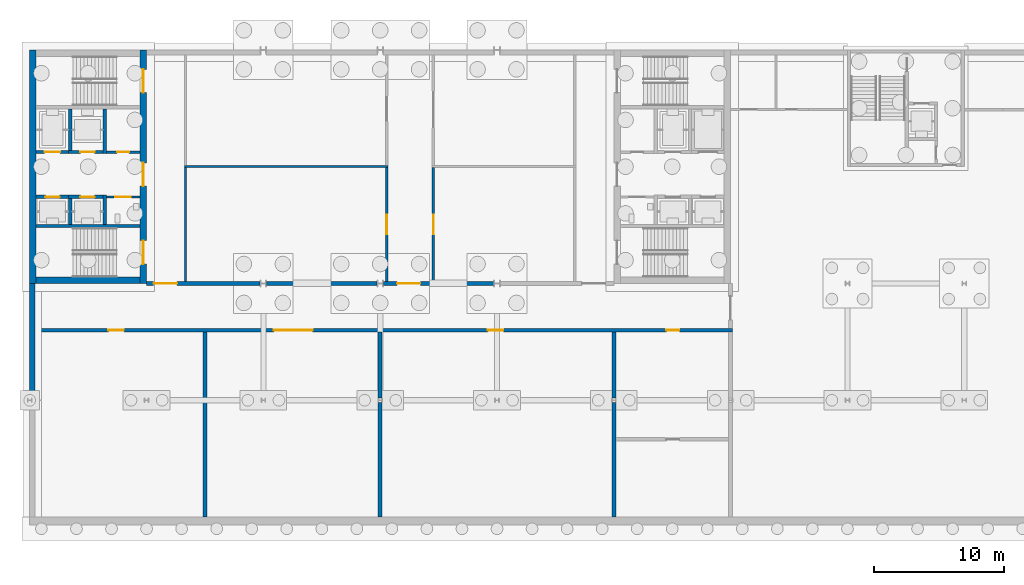
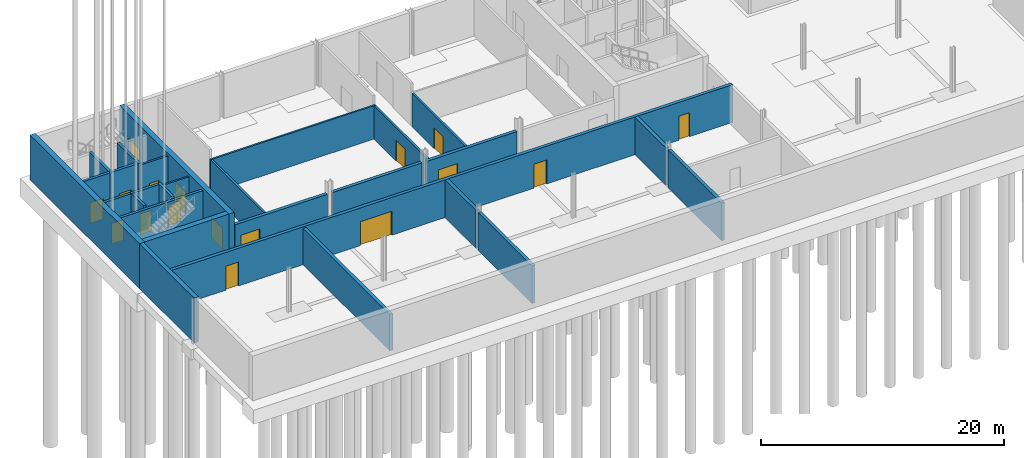
# One storey, part 12 of 41: 28 walls, 17 doors, 17 openings.
"""IFC4 building model written with IfcOpenShell, lengths in metres."""

from ifc_helpers import new_model, si_unit, direction, frame, frame_2d, origin, place, context, subcontext, project, spatial, rectangle, extrude, material, layer, layer_set, type_object, element, fill, save


model = new_model("IFC4")

# Units and contexts
model_context = context("Model", 3, precision=1e-05, world=origin(), true_north=direction((0.0, 1.0)))
body_context = subcontext(model_context, "Body", "Model", "MODEL_VIEW")
ifc_project = project(units=[si_unit("LENGTHUNIT", "METRE"), si_unit("AREAUNIT", "SQUARE_METRE"), si_unit("VOLUMEUNIT", "CUBIC_METRE"), si_unit("PLANEANGLEUNIT", "RADIAN"), si_unit("MASSUNIT", "GRAM", prefix="KILO")], contexts=[model_context])

# Site, building, storey
site_placement = place(None, origin())
site = spatial("IfcSite", under=ifc_project, at=site_placement, CompositionType="ELEMENT")
building_placement = place(site_placement, origin())
building = spatial("IfcBuilding", under=site, at=building_placement, Name="Corbel Yard City Hall", CompositionType="ELEMENT")
storey_placement = place(building_placement, frame((0.0, 0.0, -4.5)))
storey = spatial("IfcBuildingStorey", under=building, at=storey_placement, Name="B1", CompositionType="ELEMENT", Elevation=-4.5)

# Walls
ifc_material_1 = material(Name="Concrete N40 (40 MPa)", Category="concrete")
ifc_layer_1 = layer(ifc_material_1, 0.25)
ifc_layer_set_1 = layer_set([ifc_layer_1], Name="Concrete N40 (40 MPa)")
wall_type_1 = type_object("IfcWallType", Name="IW2", PredefinedType="SOLIDWALL", material=ifc_layer_set_1)
wall_1_placement = place(storey_placement, frame((8.5, 103.425048828125, 0.0), z_axis=(0.0, 0.0, 1.0), x_axis=(-1.0, 0.0, 0.0)))
element("IfcWall", 1, at=wall_1_placement, inside=storey, type_object=wall_type_1, Name="Stair enclosure wall", PredefinedType="SOLIDWALL", context=body_context, shape_type="SweptSolid", body=[
    extrude(rectangle(XDim=8.0, YDim=0.25, at=frame_2d((4.0, 0.0))), origin(), (0.0, 0.0, 1.0), 4.25),
])
wall_2_placement = place(storey_placement, frame((5.77490234375, 103.550048828125, 0.0), z_axis=(0.0, 0.0, 1.0), x_axis=(0.0, 1.0, 0.0)))
element("IfcWall", 2, at=wall_2_placement, inside=storey, type_object=wall_type_1, Name="Lift LP22 shaft wall", PredefinedType="SOLIDWALL", context=body_context, shape_type="SweptSolid", body=[
    extrude(rectangle(XDim=2.25, YDim=0.25, at=frame_2d((1.125, 0.0))), origin(), (0.0, 0.0, 1.0), 4.5),
])
wall_3_placement = place(storey_placement, frame((3.125, 103.550048828125, 0.0), z_axis=(0.0, 0.0, 1.0), x_axis=(0.0, 1.0, 0.0)))
element("IfcWall", 3, at=wall_3_placement, inside=storey, type_object=wall_type_1, Name="Lift LP22 shaft wall", PredefinedType="SOLIDWALL", context=body_context, shape_type="SweptSolid", body=[
    extrude(rectangle(XDim=2.0, YDim=0.25, at=frame_2d((1.0, 0.0))), origin(), (0.0, 0.0, 1.0), 4.5),
])

# Wall, opening, door
wall_4_placement = place(storey_placement, frame((5.64990234375, 105.675048828125, 0.0), z_axis=(0.0, 0.0, 1.0), x_axis=(-1.0, 0.0, 0.0)))
wall_4 = element("IfcWall", 4, at=wall_4_placement, inside=storey, type_object=wall_type_1, Name="Lift LP22 shaft wall", PredefinedType="SOLIDWALL", context=body_context, shape_type="SweptSolid", body=[
    extrude(rectangle(XDim=2.64990234375, YDim=0.25, at=frame_2d((1.324951171875, 0.0))), origin(), (0.0, 0.0, 1.0), 4.5),
])
opening_1_placement = place(wall_4_placement, frame((0.64990234375, 0.0, 0.0)))
opening_1 = element("IfcOpeningElement", 5, at=opening_1_placement, cuts=wall_4, Name="Opening B1-049", PredefinedType="OPENING", context=body_context, shape_type="SweptSolid", body=[
    extrude(rectangle(XDim=1.10009765625, YDim=2.10009765625, at=frame_2d((0.550048828125, 1.050048828125))), frame((0.0, 0.135009765625, 0.0), z_axis=(0.0, -1.0, 0.0), x_axis=(1.0, 0.0, 0.0)), (0.0, 0.0, 1.0), 0.27001953125),
])
ifc_material_2 = material(Name="Stainless steel Grade 316", Category="steel")
door_type_1 = type_object("IfcDoorType", Name="LD1", OperationType="DOUBLE_DOOR_SLIDING", PredefinedType="DOOR", material=ifc_material_2)
door_1_placement = place(opening_1_placement, origin())
door_1 = element("IfcDoor", 6, at=door_1_placement, inside=storey, type_object=door_type_1, Name="Lift LP22 landing door", OperationType="DOUBLE_DOOR_SLIDING", OverallHeight=2.10009765625, OverallWidth=1.10009765625, PredefinedType="DOOR", context=body_context, shape_type="SweptSolid", body=[
    extrude(rectangle(XDim=1.10009765625, YDim=2.10009765625, at=frame_2d((0.550048828125, 1.050048828125))), frame((0.0, 0.02490234375, 0.0), z_axis=(0.0, -1.0, 0.0), x_axis=(1.0, 0.0, 0.0)), (0.0, 0.0, 1.0), 0.050048828125),
])
fill(opening_1, door_1)

wall_5_placement = place(storey_placement, frame((3.0, 105.675048828125, 0.0), z_axis=(0.0, 0.0, 1.0), x_axis=(-1.0, 0.0, 0.0)))
wall_5 = element("IfcWall", 7, at=wall_5_placement, inside=storey, type_object=wall_type_1, Name="Lift LP23 shaft wall", PredefinedType="SOLIDWALL", context=body_context, shape_type="SweptSolid", body=[
    extrude(rectangle(XDim=2.5, YDim=0.25, at=frame_2d((1.25, 0.0))), origin(), (0.0, 0.0, 1.0), 4.5),
])
opening_2_placement = place(wall_5_placement, frame((0.699951171875, 0.0, 0.0)))
opening_2 = element("IfcOpeningElement", 8, at=opening_2_placement, cuts=wall_5, Name="Opening B1-050", PredefinedType="OPENING", context=body_context, shape_type="SweptSolid", body=[
    extrude(rectangle(XDim=1.10009765625, YDim=2.10009765625, at=frame_2d((0.550048828125, 1.050048828125))), frame((0.0, 0.135009765625, 0.0), z_axis=(0.0, -1.0, 0.0), x_axis=(1.0, 0.0, 0.0)), (0.0, 0.0, 1.0), 0.27001953125),
])
door_2_placement = place(opening_2_placement, origin())
door_2 = element("IfcDoor", 9, at=door_2_placement, inside=storey, type_object=door_type_1, Name="Lift LP23 landing door", OperationType="DOUBLE_DOOR_SLIDING", OverallHeight=2.10009765625, OverallWidth=1.10009765625, PredefinedType="DOOR", context=body_context, shape_type="SweptSolid", body=[
    extrude(rectangle(XDim=1.10009765625, YDim=2.10009765625, at=frame_2d((0.550048828125, 1.050048828125))), frame((0.0, 0.02490234375, 0.0), z_axis=(0.0, -1.0, 0.0), x_axis=(1.0, 0.0, 0.0)), (0.0, 0.0, 1.0), 0.050048828125),
])
fill(opening_2, door_2)

# Walls
wall_6_placement = place(storey_placement, frame((5.77490234375, 109.0, 0.0), z_axis=(0.0, 0.0, 1.0), x_axis=(0.0, 1.0, 0.0)))
element("IfcWall", 10, at=wall_6_placement, inside=storey, type_object=wall_type_1, Name="Lift LP24 shaft wall", PredefinedType="SOLIDWALL", context=body_context, shape_type="SweptSolid", body=[
    extrude(rectangle(XDim=3.449951171875, YDim=0.25, at=frame_2d((1.72509765625, 0.0))), origin(), (0.0, 0.0, 1.0), 4.5),
])
wall_7_placement = place(storey_placement, frame((3.125, 109.25, 0.0), z_axis=(0.0, 0.0, 1.0), x_axis=(0.0, 1.0, 0.0)))
element("IfcWall", 11, at=wall_7_placement, inside=storey, type_object=wall_type_1, Name="Lift LP24 shaft wall", PredefinedType="SOLIDWALL", context=body_context, shape_type="SweptSolid", body=[
    extrude(rectangle(XDim=3.199951171875, YDim=0.25, at=frame_2d((1.60009765625, 0.0))), origin(), (0.0, 0.0, 1.0), 4.5),
])

# Wall, opening, door
wall_8_placement = place(storey_placement, frame((5.64990234375, 109.125, 0.0), z_axis=(0.0, 0.0, 1.0), x_axis=(-1.0, 0.0, 0.0)))
wall_8 = element("IfcWall", 12, at=wall_8_placement, inside=storey, type_object=wall_type_1, Name="Lift LP24 shaft wall", PredefinedType="SOLIDWALL", context=body_context, shape_type="SweptSolid", body=[
    extrude(rectangle(XDim=2.64990234375, YDim=0.25, at=frame_2d((1.324951171875, 0.0))), origin(), (0.0, 0.0, 1.0), 4.5),
])
opening_3_placement = place(wall_8_placement, frame((0.64990234375, 0.0, 0.0)))
opening_3 = element("IfcOpeningElement", 13, at=opening_3_placement, cuts=wall_8, Name="Opening B1-051", PredefinedType="OPENING", context=body_context, shape_type="SweptSolid", body=[
    extrude(rectangle(XDim=1.10009765625, YDim=2.10009765625, at=frame_2d((0.550048828125, 1.050048828125))), frame((0.0, 0.135009765625, 0.0), z_axis=(0.0, -1.0, 0.0), x_axis=(1.0, 0.0, 0.0)), (0.0, 0.0, 1.0), 0.27001953125),
])
door_3_placement = place(opening_3_placement, origin())
door_3 = element("IfcDoor", 14, at=door_3_placement, inside=storey, type_object=door_type_1, Name="Lift LP24 landing door", OperationType="DOUBLE_DOOR_SLIDING", OverallHeight=2.10009765625, OverallWidth=1.10009765625, PredefinedType="DOOR", context=body_context, shape_type="SweptSolid", body=[
    extrude(rectangle(XDim=1.10009765625, YDim=2.10009765625, at=frame_2d((0.550048828125, 1.050048828125))), frame((0.0, 0.02490234375, 0.0), z_axis=(0.0, -1.0, 0.0), x_axis=(1.0, 0.0, 0.0)), (0.0, 0.0, 1.0), 0.050048828125),
])
fill(opening_3, door_3)

wall_9_placement = place(storey_placement, frame((3.0, 109.125, 0.0), z_axis=(0.0, 0.0, 1.0), x_axis=(-1.0, 0.0, 0.0)))
wall_9 = element("IfcWall", 15, at=wall_9_placement, inside=storey, type_object=wall_type_1, Name="Lift LF1 shaft wall", PredefinedType="SOLIDWALL", context=body_context, shape_type="SweptSolid", body=[
    extrude(rectangle(XDim=2.5, YDim=0.25, at=frame_2d((1.25, 0.0))), origin(), (0.0, 0.0, 1.0), 4.5),
])
opening_4_placement = place(wall_9_placement, frame((0.64990234375, 0.0, 0.0)))
opening_4 = element("IfcOpeningElement", 16, at=opening_4_placement, cuts=wall_9, Name="Opening B1-052", PredefinedType="OPENING", context=body_context, shape_type="SweptSolid", body=[
    extrude(rectangle(XDim=1.199951171875, YDim=2.10009765625, at=frame_2d((0.60009765625, 1.050048828125))), frame((0.0, 0.135009765625, 0.0), z_axis=(0.0, -1.0, 0.0), x_axis=(1.0, 0.0, 0.0)), (0.0, 0.0, 1.0), 0.27001953125),
])
door_type_2 = type_object("IfcDoorType", Name="LD2", OperationType="DOUBLE_DOOR_SLIDING", PredefinedType="DOOR", material=ifc_material_2)
door_4_placement = place(opening_4_placement, origin())
door_4 = element("IfcDoor", 17, at=door_4_placement, inside=storey, type_object=door_type_2, Name="Lift LF1 landing door", OperationType="DOUBLE_DOOR_SLIDING", OverallHeight=2.10009765625, OverallWidth=1.199951171875, PredefinedType="DOOR", context=body_context, shape_type="SweptSolid", body=[
    extrude(rectangle(XDim=1.199951171875, YDim=2.10009765625, at=frame_2d((0.60009765625, 1.050048828125))), frame((0.0, 0.02490234375, 0.0), z_axis=(0.0, -1.0, 0.0), x_axis=(1.0, 0.0, 0.0)), (0.0, 0.0, 1.0), 0.050048828125),
])
fill(opening_4, door_4)

# Wall, openings, doors
ifc_material_3 = material(Name="Concrete block", Category="concrete")
ifc_layer_2 = layer(ifc_material_3, 0.300048828125)
ifc_layer_set_2 = layer_set([ifc_layer_2], Name="Concrete block")
wall_type_2 = type_object("IfcWallType", Name="PT24", PredefinedType="PARTITIONING", material=ifc_layer_set_2)
wall_10_placement = place(storey_placement, frame((0.39990234375, 95.39990234375, 0.0), z_axis=(0.0, 0.0, 1.0), x_axis=(1.0, 0.0, 0.0)))
wall_10 = element("IfcWall", 18, at=wall_10_placement, inside=storey, type_object=wall_type_2, Name="Rated plant wall", PredefinedType="PARTITIONING", context=body_context, shape_type="SweptSolid", body=[
    extrude(rectangle(XDim=53.75, YDim=0.300048828125, at=frame_2d((26.875, 0.0))), origin(), (0.0, 0.0, 1.0), 3.7900390625),
])
opening_5_placement = place(wall_10_placement, frame((5.64990234375, 0.0, 0.0)))
opening_5 = element("IfcOpeningElement", 19, at=opening_5_placement, cuts=wall_10, Name="Opening B1-025", PredefinedType="OPENING", context=body_context, shape_type="SweptSolid", body=[
    extrude(rectangle(XDim=1.199951171875, YDim=2.39990234375, at=frame_2d((0.60009765625, 1.199951171875))), frame((0.0, 0.159912109375, 0.0), z_axis=(0.0, -1.0, 0.0), x_axis=(1.0, 0.0, 0.0)), (0.0, 0.0, 1.0), 0.320068359375),
])
opening_6_placement = place(wall_10_placement, frame((18.39990234375, 0.0, 0.0)))
opening_6 = element("IfcOpeningElement", 20, at=opening_6_placement, cuts=wall_10, Name="Opening B1-026", PredefinedType="OPENING", context=body_context, shape_type="SweptSolid", body=[
    extrude(rectangle(XDim=3.0, YDim=2.39990234375, at=frame_2d((1.5, 1.199951171875))), frame((0.0, 0.159912109375, 0.0), z_axis=(0.0, -1.0, 0.0), x_axis=(1.0, 0.0, 0.0)), (0.0, 0.0, 1.0), 0.320068359375),
])
opening_7_placement = place(wall_10_placement, frame((34.89990234375, 0.0, 0.0)))
opening_7 = element("IfcOpeningElement", 21, at=opening_7_placement, cuts=wall_10, Name="Opening B1-027", PredefinedType="OPENING", context=body_context, shape_type="SweptSolid", body=[
    extrude(rectangle(XDim=1.199951171875, YDim=2.39990234375, at=frame_2d((0.60009765625, 1.199951171875))), frame((0.0, 0.159912109375, 0.0), z_axis=(0.0, -1.0, 0.0), x_axis=(1.0, 0.0, 0.0)), (0.0, 0.0, 1.0), 0.320068359375),
])
opening_8_placement = place(wall_10_placement, frame((48.64990234375, 0.0, 0.0)))
opening_8 = element("IfcOpeningElement", 22, at=opening_8_placement, cuts=wall_10, Name="Opening B1-028", PredefinedType="OPENING", context=body_context, shape_type="SweptSolid", body=[
    extrude(rectangle(XDim=1.0, YDim=2.39990234375, at=frame_2d((0.5, 1.199951171875))), frame((0.0, 0.159912109375, 0.0), z_axis=(0.0, -1.0, 0.0), x_axis=(1.0, 0.0, 0.0)), (0.0, 0.0, 1.0), 0.320068359375),
])
ifc_material_4 = material(Name="Steel Grade G250", Category="steel")
door_type_3 = type_object("IfcDoorType", Name="FS32", OperationType="SINGLE_SWING_LEFT", PredefinedType="DOOR", material=ifc_material_4)
door_5_placement = place(opening_5_placement, frame((1.199951171875, 0.0, 0.0), z_axis=(0.0, 0.0, 1.0), x_axis=(-1.0, 0.0, 0.0)))
door_5 = element("IfcDoor", 23, at=door_5_placement, inside=storey, type_object=door_type_3, Name="Door Switch Room", OperationType="SINGLE_SWING_RIGHT", OverallHeight=2.39990234375, OverallWidth=1.199951171875, PredefinedType="DOOR", context=body_context, shape_type="SweptSolid", body=[
    extrude(rectangle(XDim=1.199951171875, YDim=2.39990234375, at=frame_2d((0.60009765625, 1.199951171875))), frame((0.0, 0.02490234375, 0.0), z_axis=(0.0, -1.0, 0.0), x_axis=(1.0, 0.0, 0.0)), (0.0, 0.0, 1.0), 0.050048828125),
])
fill(opening_5, door_5)
door_6_placement = place(opening_7_placement, frame((1.199951171875, 0.0, 0.0), z_axis=(0.0, 0.0, 1.0), x_axis=(-1.0, 0.0, 0.0)))
door_6 = element("IfcDoor", 24, at=door_6_placement, inside=storey, type_object=door_type_3, Name="Door Plant Room 1", OperationType="SINGLE_SWING_RIGHT", OverallHeight=2.39990234375, OverallWidth=1.199951171875, PredefinedType="DOOR", context=body_context, shape_type="SweptSolid", body=[
    extrude(rectangle(XDim=1.199951171875, YDim=2.39990234375, at=frame_2d((0.60009765625, 1.199951171875))), frame((0.0, 0.02490234375, 0.0), z_axis=(0.0, -1.0, 0.0), x_axis=(1.0, 0.0, 0.0)), (0.0, 0.0, 1.0), 0.050048828125),
])
fill(opening_7, door_6)
door_type_4 = type_object("IfcDoorType", Name="FS33", OperationType="SINGLE_SWING_RIGHT", PredefinedType="DOOR", material=ifc_material_4)
door_7_placement = place(opening_8_placement, frame((1.0, 0.0, 0.0), z_axis=(0.0, 0.0, 1.0), x_axis=(-1.0, 0.0, 0.0)))
door_7 = element("IfcDoor", 25, at=door_7_placement, inside=storey, type_object=door_type_4, Name="Door Fire Pump Room", OperationType="SINGLE_SWING_LEFT", OverallHeight=2.39990234375, OverallWidth=1.0, PredefinedType="DOOR", context=body_context, shape_type="SweptSolid", body=[
    extrude(rectangle(XDim=1.0, YDim=2.39990234375, at=frame_2d((0.5, 1.199951171875))), frame((0.0, 0.02490234375, 0.0), z_axis=(0.0, -1.0, 0.0), x_axis=(1.0, 0.0, 0.0)), (0.0, 0.0, 1.0), 0.050048828125),
])
fill(opening_8, door_7)
door_type_5 = type_object("IfcDoorType", Name="FS37", OperationType="DOUBLE_DOOR_SINGLE_SWING", PredefinedType="DOOR", material=ifc_material_4)
door_8_placement = place(opening_6_placement, origin())
door_8 = element("IfcDoor", 26, at=door_8_placement, inside=storey, type_object=door_type_5, Name="Door Generator Room", OperationType="DOUBLE_DOOR_SINGLE_SWING", OverallHeight=2.39990234375, OverallWidth=3.0, PredefinedType="DOOR", context=body_context, shape_type="SweptSolid", body=[
    extrude(rectangle(XDim=3.0, YDim=2.39990234375, at=frame_2d((1.5, 1.199951171875))), frame((0.0, 0.02490234375, 0.0), z_axis=(0.0, -1.0, 0.0), x_axis=(1.0, 0.0, 0.0)), (0.0, 0.0, 1.0), 0.050048828125),
])
fill(opening_6, door_8)

# Wall, opening, door
wall_11_placement = place(storey_placement, frame((9.0, 99.0, 0.0), z_axis=(0.0, 0.0, 1.0), x_axis=(1.0, 0.0, 0.0)))
wall_11 = element("IfcWall", 27, at=wall_11_placement, inside=storey, type_object=wall_type_2, Name="Rated plant wall", PredefinedType="PARTITIONING", context=body_context, shape_type="SweptSolid", body=[
    extrude(rectangle(XDim=8.75, YDim=0.300048828125, at=frame_2d((4.375, 0.0))), origin(), (0.0, 0.0, 1.0), 3.340087890625),
])
opening_9_placement = place(wall_11_placement, frame((0.550048828125, 0.0, 0.0)))
opening_9 = element("IfcOpeningElement", 28, at=opening_9_placement, cuts=wall_11, Name="Opening B1-036", PredefinedType="OPENING", context=body_context, shape_type="SweptSolid", body=[
    extrude(rectangle(XDim=1.800048828125, YDim=2.10009765625, at=frame_2d((0.89990234375, 1.050048828125))), frame((0.0, 0.159912109375, 0.0), z_axis=(0.0, -1.0, 0.0), x_axis=(1.0, 0.0, 0.0)), (0.0, 0.0, 1.0), 0.320068359375),
])
door_type_6 = type_object("IfcDoorType", Name="FS3", OperationType="DOUBLE_DOOR_SINGLE_SWING", PredefinedType="DOOR", material=ifc_material_4)
door_9_placement = place(opening_9_placement, origin())
door_9 = element("IfcDoor", 29, at=door_9_placement, inside=storey, type_object=door_type_6, Name="Door Plant Corridor West Link", OperationType="DOUBLE_DOOR_SINGLE_SWING", OverallHeight=2.10009765625, OverallWidth=1.800048828125, PredefinedType="DOOR", context=body_context, shape_type="SweptSolid", body=[
    extrude(rectangle(XDim=1.800048828125, YDim=2.10009765625, at=frame_2d((0.89990234375, 1.050048828125))), frame((0.0, 0.02490234375, 0.0), z_axis=(0.0, -1.0, 0.0), x_axis=(1.0, 0.0, 0.0)), (0.0, 0.0, 1.0), 0.050048828125),
])
fill(opening_9, door_9)

# Wall
wall_12_placement = place(storey_placement, frame((18.25, 99.0, 0.0), z_axis=(0.0, 0.0, 1.0), x_axis=(1.0, 0.0, 0.0)))
element("IfcWall", 30, at=wall_12_placement, inside=storey, type_object=wall_type_2, Name="Rated plant wall", PredefinedType="PARTITIONING", context=body_context, shape_type="SweptSolid", body=[
    extrude(rectangle(XDim=8.5, YDim=0.300048828125, at=frame_2d((4.25, 0.0))), origin(), (0.0, 0.0, 1.0), 3.340087890625),
])

# Wall, opening, door
wall_13_placement = place(storey_placement, frame((27.25, 99.0, 0.0), z_axis=(0.0, 0.0, 1.0), x_axis=(1.0, 0.0, 0.0)))
wall_13 = element("IfcWall", 31, at=wall_13_placement, inside=storey, type_object=wall_type_2, Name="Rated plant wall", PredefinedType="PARTITIONING", context=body_context, shape_type="SweptSolid", body=[
    extrude(rectangle(XDim=8.5, YDim=0.300048828125, at=frame_2d((4.25, 0.0))), origin(), (0.0, 0.0, 1.0), 3.340087890625),
])
opening_10_placement = place(wall_13_placement, frame((1.050048828125, 0.0, 0.0)))
opening_10 = element("IfcOpeningElement", 32, at=opening_10_placement, cuts=wall_13, Name="Opening B1-035", PredefinedType="OPENING", context=body_context, shape_type="SweptSolid", body=[
    extrude(rectangle(XDim=1.800048828125, YDim=2.10009765625, at=frame_2d((0.89990234375, 1.050048828125))), frame((0.0, 0.159912109375, 0.0), z_axis=(0.0, -1.0, 0.0), x_axis=(1.0, 0.0, 0.0)), (0.0, 0.0, 1.0), 0.320068359375),
])
door_10_placement = place(opening_10_placement, origin())
door_10 = element("IfcDoor", 33, at=door_10_placement, inside=storey, type_object=door_type_6, Name="Door Plant Service Corridor", OperationType="DOUBLE_DOOR_SINGLE_SWING", OverallHeight=2.10009765625, OverallWidth=1.800048828125, PredefinedType="DOOR", context=body_context, shape_type="SweptSolid", body=[
    extrude(rectangle(XDim=1.800048828125, YDim=2.10009765625, at=frame_2d((0.89990234375, 1.050048828125))), frame((0.0, 0.02490234375, 0.0), z_axis=(0.0, -1.0, 0.0), x_axis=(1.0, 0.0, 0.0)), (0.0, 0.0, 1.0), 0.050048828125),
])
fill(opening_10, door_10)

# Walls
wall_14_placement = place(storey_placement, frame((13.5, 81.0, 0.0), z_axis=(0.0, 0.0, 1.0), x_axis=(0.0, 1.0, 0.0)))
element("IfcWall", 34, at=wall_14_placement, inside=storey, type_object=wall_type_2, Name="Rated plant wall", PredefinedType="PARTITIONING", context=body_context, shape_type="SweptSolid", body=[
    extrude(rectangle(XDim=14.25, YDim=0.300048828125, at=frame_2d((7.125, 0.0))), origin(), (0.0, 0.0, 1.0), 3.637939453125),
])
wall_15_placement = place(storey_placement, frame((27.0, 81.0, 0.0), z_axis=(0.0, 0.0, 1.0), x_axis=(0.0, 1.0, 0.0)))
element("IfcWall", 35, at=wall_15_placement, inside=storey, type_object=wall_type_2, Name="Rated plant wall", PredefinedType="PARTITIONING", context=body_context, shape_type="SweptSolid", body=[
    extrude(rectangle(XDim=8.83642578125, YDim=0.300048828125, at=frame_2d((4.418212890625, 0.0))), origin(), (0.0, 0.0, 1.0), 3.7900390625),
])
wall_16_placement = place(storey_placement, frame((27.0, 90.16357421875, 0.0), z_axis=(0.0, 0.0, 1.0), x_axis=(0.0, 1.0, 0.0)))
element("IfcWall", 36, at=wall_16_placement, inside=storey, type_object=wall_type_2, Name="Rated plant wall", PredefinedType="PARTITIONING", context=body_context, shape_type="SweptSolid", body=[
    extrude(rectangle(XDim=5.08642578125, YDim=0.300048828125, at=frame_2d((2.543212890625, 0.0))), origin(), (0.0, 0.0, 1.0), 3.7900390625),
])
wall_17_placement = place(storey_placement, frame((45.0, 81.0, 0.0), z_axis=(0.0, 0.0, 1.0), x_axis=(0.0, 1.0, 0.0)))
element("IfcWall", 37, at=wall_17_placement, inside=storey, type_object=wall_type_2, Name="Rated plant wall", PredefinedType="PARTITIONING", context=body_context, shape_type="SweptSolid", body=[
    extrude(rectangle(XDim=8.83642578125, YDim=0.300048828125, at=frame_2d((4.418212890625, 0.0))), origin(), (0.0, 0.0, 1.0), 3.7900390625),
])
wall_18_placement = place(storey_placement, frame((45.0, 90.16357421875, 0.0), z_axis=(0.0, 0.0, 1.0), x_axis=(0.0, 1.0, 0.0)))
element("IfcWall", 38, at=wall_18_placement, inside=storey, type_object=wall_type_2, Name="Rated plant wall", PredefinedType="PARTITIONING", context=body_context, shape_type="SweptSolid", body=[
    extrude(rectangle(XDim=5.08642578125, YDim=0.300048828125, at=frame_2d((2.543212890625, 0.0))), origin(), (0.0, 0.0, 1.0), 3.7900390625),
])
ifc_material_5 = material(Name="Gypsum plasterboard", Category="gypsum")
ifc_layer_3 = layer(ifc_material_5, 0.031982421875)
ifc_material_6 = material(Name="Steel Grade G550 (550 MPa yield)", Category="steel")
ifc_layer_4 = layer(ifc_material_6, 0.095947265625)
ifc_layer_5 = layer(ifc_material_5, 0.031982421875)
ifc_layer_set_3 = layer_set([ifc_layer_3, ifc_layer_4, ifc_layer_5], Name="Steel Grade G550 (550 MPa yield)")
wall_type_3 = type_object("IfcWallType", Name="PT3", PredefinedType="PARTITIONING", material=ifc_layer_set_3)
wall_19_placement = place(storey_placement, frame((11.905029296875, 108.0, 0.0), z_axis=(0.0, 0.0, 1.0), x_axis=(1.0, 0.0, 0.0)))
element("IfcWall", 39, at=wall_19_placement, inside=storey, type_object=wall_type_3, Name="Fire-resisting wall", PredefinedType="PARTITIONING", context=body_context, shape_type="SweptSolid", body=[
    extrude(rectangle(XDim=15.68994140625, YDim=0.159912109375, at=frame_2d((7.844970703125, 0.0))), origin(), (0.0, 0.0, 1.0), 3.35009765625),
])

# Wall, opening, door
wall_20_placement = place(storey_placement, frame((8.5, 105.675048828125, 0.0), z_axis=(0.0, 0.0, 1.0), x_axis=(-1.0, 0.0, 0.0)))
wall_20 = element("IfcWall", 40, at=wall_20_placement, inside=storey, type_object=wall_type_3, Name="Accessible WC wall", PredefinedType="PARTITIONING", context=body_context, shape_type="SweptSolid", body=[
    extrude(rectangle(XDim=2.60009765625, YDim=0.159912109375, at=frame_2d((1.300048828125, 0.0))), origin(), (0.0, 0.0, 1.0), 4.25),
])
opening_11_placement = place(wall_20_placement, frame((0.699951171875, 0.0, 0.0)))
opening_11 = element("IfcOpeningElement", 41, at=opening_11_placement, cuts=wall_20, Name="Opening B1-060", PredefinedType="OPENING", context=body_context, shape_type="SweptSolid", body=[
    extrude(rectangle(XDim=1.199951171875, YDim=2.10009765625, at=frame_2d((0.60009765625, 1.050048828125))), frame((0.0, 0.08984375, 0.0), z_axis=(0.0, -1.0, 0.0), x_axis=(1.0, 0.0, 0.0)), (0.0, 0.0, 1.0), 0.179931640625),
])
door_type_7 = type_object("IfcDoorType", Name="FD7", OperationType="SINGLE_SWING_LEFT", PredefinedType="DOOR", material=ifc_material_4)
door_11_placement = place(opening_11_placement, origin())
door_11 = element("IfcDoor", 42, at=door_11_placement, inside=storey, type_object=door_type_7, Name="Door accessible WC West", OperationType="SINGLE_SWING_LEFT", OverallHeight=2.10009765625, OverallWidth=1.199951171875, PredefinedType="DOOR", context=body_context, shape_type="SweptSolid", body=[
    extrude(rectangle(XDim=1.199951171875, YDim=2.10009765625, at=frame_2d((0.60009765625, 1.050048828125))), frame((0.0, 0.02490234375, 0.0), z_axis=(0.0, -1.0, 0.0), x_axis=(1.0, 0.0, 0.0)), (0.0, 0.0, 1.0), 0.050048828125),
])
fill(opening_11, door_11)

# Wall
ifc_layer_6 = layer(ifc_material_3, 0.18994140625)
ifc_layer_set_4 = layer_set([ifc_layer_6], Name="Concrete block")
wall_type_4 = type_object("IfcWallType", Name="PT4", PredefinedType="PARTITIONING", material=ifc_layer_set_4)
wall_21_placement = place(storey_placement, frame((12.0, 99.14990234375, 0.0), z_axis=(0.0, 0.0, 1.0), x_axis=(0.0, 1.0, 0.0)))
element("IfcWall", 43, at=wall_21_placement, inside=storey, type_object=wall_type_4, Name="Fire-resisting block wall", PredefinedType="PARTITIONING", context=body_context, shape_type="SweptSolid", body=[
    extrude(rectangle(XDim=8.77001953125, YDim=0.18994140625, at=frame_2d((4.385009765625, 0.0))), origin(), (0.0, 0.0, 1.0), 3.340087890625),
])

# Wall, opening, door
wall_22_placement = place(storey_placement, frame((27.5, 99.14990234375, 0.0), z_axis=(0.0, 0.0, 1.0), x_axis=(0.0, 1.0, 0.0)))
wall_22 = element("IfcWall", 44, at=wall_22_placement, inside=storey, type_object=wall_type_4, Name="Fire-resisting block wall", PredefinedType="PARTITIONING", context=body_context, shape_type="SweptSolid", body=[
    extrude(rectangle(XDim=8.77001953125, YDim=0.18994140625, at=frame_2d((4.385009765625, 0.0))), origin(), (0.0, 0.0, 1.0), 3.340087890625),
])
opening_12_placement = place(wall_22_placement, frame((3.64990234375, 0.0, 0.0)))
opening_12 = element("IfcOpeningElement", 45, at=opening_12_placement, cuts=wall_22, Name="Opening B1-031", PredefinedType="OPENING", context=body_context, shape_type="SweptSolid", body=[
    extrude(rectangle(XDim=1.5, YDim=2.10009765625, at=frame_2d((0.75, 1.050048828125))), frame((0.0, 0.10498046875, 0.0), z_axis=(0.0, -1.0, 0.0), x_axis=(1.0, 0.0, 0.0)), (0.0, 0.0, 1.0), 0.2099609375),
])
door_type_8 = type_object("IfcDoorType", Name="FS34", OperationType="DOUBLE_DOOR_SINGLE_SWING", PredefinedType="DOOR", material=ifc_material_4)
door_12_placement = place(opening_12_placement, origin())
door_12 = element("IfcDoor", 46, at=door_12_placement, inside=storey, type_object=door_type_8, Name="Door Archive Store", OperationType="DOUBLE_DOOR_SINGLE_SWING", OverallHeight=2.10009765625, OverallWidth=1.5, PredefinedType="DOOR", context=body_context, shape_type="SweptSolid", body=[
    extrude(rectangle(XDim=1.5, YDim=2.10009765625, at=frame_2d((0.75, 1.050048828125))), frame((0.0, 0.02490234375, 0.0), z_axis=(0.0, -1.0, 0.0), x_axis=(1.0, 0.0, 0.0)), (0.0, 0.0, 1.0), 0.050048828125),
])
fill(opening_12, door_12)

wall_23_placement = place(storey_placement, frame((31.10009765625, 99.14990234375, 0.0), z_axis=(0.0, 0.0, 1.0), x_axis=(0.0, 1.0, 0.0)))
wall_23 = element("IfcWall", 47, at=wall_23_placement, inside=storey, type_object=wall_type_4, Name="Fire-resisting block wall", PredefinedType="PARTITIONING", context=body_context, shape_type="SweptSolid", body=[
    extrude(rectangle(XDim=8.77001953125, YDim=0.18994140625, at=frame_2d((4.385009765625, 0.0))), origin(), (0.0, 0.0, 1.0), 3.340087890625),
])
opening_13_placement = place(wall_23_placement, frame((3.64990234375, 0.0, 0.0)))
opening_13 = element("IfcOpeningElement", 48, at=opening_13_placement, cuts=wall_23, Name="Opening B1-033", PredefinedType="OPENING", context=body_context, shape_type="SweptSolid", body=[
    extrude(rectangle(XDim=1.5, YDim=2.10009765625, at=frame_2d((0.75, 1.050048828125))), frame((0.0, 0.10498046875, 0.0), z_axis=(0.0, -1.0, 0.0), x_axis=(1.0, 0.0, 0.0)), (0.0, 0.0, 1.0), 0.2099609375),
])
door_13_placement = place(opening_13_placement, origin())
door_13 = element("IfcDoor", 49, at=door_13_placement, inside=storey, type_object=door_type_8, Name="Door Cycle Store", OperationType="DOUBLE_DOOR_SINGLE_SWING", OverallHeight=2.10009765625, OverallWidth=1.5, PredefinedType="DOOR", context=body_context, shape_type="SweptSolid", body=[
    extrude(rectangle(XDim=1.5, YDim=2.10009765625, at=frame_2d((0.75, 1.050048828125))), frame((0.0, 0.02490234375, 0.0), z_axis=(0.0, -1.0, 0.0), x_axis=(1.0, 0.0, 0.0)), (0.0, 0.0, 1.0), 0.050048828125),
])
fill(opening_13, door_13)

wall_24_placement = place(storey_placement, frame((8.5, 109.125, 0.0), z_axis=(0.0, 0.0, 1.0), x_axis=(-1.0, 0.0, 0.0)))
wall_24 = element("IfcWall", 50, at=wall_24_placement, inside=storey, type_object=wall_type_4, Name="Riser wall", PredefinedType="PARTITIONING", context=body_context, shape_type="SweptSolid", body=[
    extrude(rectangle(XDim=2.60009765625, YDim=0.18994140625, at=frame_2d((1.300048828125, 0.0))), origin(), (0.0, 0.0, 1.0), 4.25),
])
opening_14_placement = place(wall_24_placement, frame((0.840087890625, 0.0, 0.0)))
opening_14 = element("IfcOpeningElement", 51, at=opening_14_placement, cuts=wall_24, Name="Opening B1-061", PredefinedType="OPENING", context=body_context, shape_type="SweptSolid", body=[
    extrude(rectangle(XDim=0.919921875, YDim=2.10009765625, at=frame_2d((0.4599609375, 1.050048828125))), frame((0.0, 0.10498046875, 0.0), z_axis=(0.0, -1.0, 0.0), x_axis=(1.0, 0.0, 0.0)), (0.0, 0.0, 1.0), 0.2099609375),
])
door_type_9 = type_object("IfcDoorType", Name="FS4", OperationType="SINGLE_SWING_LEFT", PredefinedType="DOOR", material=ifc_material_4)
door_14_placement = place(opening_14_placement, frame((0.919921875, 0.0, 0.0), z_axis=(0.0, 0.0, 1.0), x_axis=(-1.0, 0.0, 0.0)))
door_14 = element("IfcDoor", 52, at=door_14_placement, inside=storey, type_object=door_type_9, Name="Door riser West", OperationType="SINGLE_SWING_RIGHT", OverallHeight=2.10009765625, OverallWidth=0.919921875, PredefinedType="DOOR", context=body_context, shape_type="SweptSolid", body=[
    extrude(rectangle(XDim=0.919921875, YDim=2.10009765625, at=frame_2d((0.4599609375, 1.050048828125))), frame((0.0, 0.02490234375, 0.0), z_axis=(0.0, -1.0, 0.0), x_axis=(1.0, 0.0, 0.0)), (0.0, 0.0, 1.0), 0.050048828125),
])
fill(opening_14, door_14)

# Walls
ifc_layer_7 = layer(ifc_material_1, 0.39990234375)
ifc_layer_set_5 = layer_set([ifc_layer_7], Name="Concrete N40 (40 MPa)")
wall_type_5 = type_object("IfcWallType", Name="Retaining wall 400", PredefinedType="SOLIDWALL", material=ifc_layer_set_5)
wall_25_placement = place(storey_placement, frame((0.199951171875, 90.0078125, 0.0), z_axis=(0.0, 0.0, 1.0), x_axis=(0.0, 1.0, 0.0)))
element("IfcWall", 53, at=wall_25_placement, inside=storey, type_object=wall_type_5, Name="Retaining wall RET-W-2", PredefinedType="SOLIDWALL", context=body_context, shape_type="SweptSolid", body=[
    extrude(rectangle(XDim=8.9921875, YDim=0.39990234375, at=frame_2d((4.49609375, 0.0))), origin(), (0.0, 0.0, 1.0), 4.5),
])
ifc_material_7 = material(Name="Concrete N50 (50 MPa)", Category="concrete")
ifc_layer_8 = layer(ifc_material_7, 0.5)
ifc_layer_set_6 = layer_set([ifc_layer_8], Name="Concrete N50 (50 MPa)")
wall_type_6 = type_object("IfcWallType", Name="Trunk wall 500", PredefinedType="SHEAR", material=ifc_layer_set_6)
wall_26_placement = place(storey_placement, frame((0.25, 99.0, 0.0), z_axis=(0.0, 0.0, 1.0), x_axis=(0.0, 1.0, 0.0)))
element("IfcWall", 54, at=wall_26_placement, inside=storey, type_object=wall_type_6, Name="Trunk W west wall", PredefinedType="SHEAR", context=body_context, shape_type="SweptSolid", body=[
    extrude(rectangle(XDim=18.0, YDim=0.5, at=frame_2d((9.0, 0.0))), origin(), (0.0, 0.0, 1.0), 4.5),
])

# Wall, openings, doors
wall_27_placement = place(storey_placement, frame((8.75, 99.0, 0.0), z_axis=(0.0, 0.0, 1.0), x_axis=(0.0, 1.0, 0.0)))
wall_27 = element("IfcWall", 55, at=wall_27_placement, inside=storey, type_object=wall_type_6, Name="Trunk W east wall", PredefinedType="SHEAR", context=body_context, shape_type="SweptSolid", body=[
    extrude(rectangle(XDim=18.0, YDim=0.5, at=frame_2d((9.0, 0.0))), origin(), (0.0, 0.0, 1.0), 4.5),
])
opening_15_placement = place(wall_27_placement, frame((1.5, 0.0, 0.0)))
opening_15 = element("IfcOpeningElement", 56, at=opening_15_placement, cuts=wall_27, Name="Opening B1-057", PredefinedType="OPENING", context=body_context, shape_type="SweptSolid", body=[
    extrude(rectangle(XDim=1.800048828125, YDim=2.10009765625, at=frame_2d((0.89990234375, 1.050048828125))), frame((0.0, 0.260009765625, 0.0), z_axis=(0.0, -1.0, 0.0), x_axis=(1.0, 0.0, 0.0)), (0.0, 0.0, 1.0), 0.52001953125),
])
opening_16_placement = place(wall_27_placement, frame((14.699951171875, 0.0, 0.0)))
opening_16 = element("IfcOpeningElement", 57, at=opening_16_placement, cuts=wall_27, Name="Opening B1-058", PredefinedType="OPENING", context=body_context, shape_type="SweptSolid", body=[
    extrude(rectangle(XDim=1.800048828125, YDim=2.10009765625, at=frame_2d((0.89990234375, 1.050048828125))), frame((0.0, 0.260009765625, 0.0), z_axis=(0.0, -1.0, 0.0), x_axis=(1.0, 0.0, 0.0)), (0.0, 0.0, 1.0), 0.52001953125),
])
opening_17_placement = place(wall_27_placement, frame((7.5, 0.0, 0.0)))
opening_17 = element("IfcOpeningElement", 58, at=opening_17_placement, cuts=wall_27, Name="Opening B1-059", PredefinedType="OPENING", context=body_context, shape_type="SweptSolid", body=[
    extrude(rectangle(XDim=1.800048828125, YDim=2.10009765625, at=frame_2d((0.89990234375, 1.050048828125))), frame((0.0, 0.260009765625, 0.0), z_axis=(0.0, -1.0, 0.0), x_axis=(1.0, 0.0, 0.0)), (0.0, 0.0, 1.0), 0.52001953125),
])
door_15_placement = place(opening_15_placement, origin())
door_15 = element("IfcDoor", 59, at=door_15_placement, inside=storey, type_object=door_type_6, Name="Door ST-W1", OperationType="DOUBLE_DOOR_SINGLE_SWING", OverallHeight=2.10009765625, OverallWidth=1.800048828125, PredefinedType="DOOR", context=body_context, shape_type="SweptSolid", body=[
    extrude(rectangle(XDim=1.800048828125, YDim=2.10009765625, at=frame_2d((0.89990234375, 1.050048828125))), frame((0.0, 0.02490234375, 0.0), z_axis=(0.0, -1.0, 0.0), x_axis=(1.0, 0.0, 0.0)), (0.0, 0.0, 1.0), 0.050048828125),
])
fill(opening_15, door_15)
door_16_placement = place(opening_16_placement, origin())
door_16 = element("IfcDoor", 60, at=door_16_placement, inside=storey, type_object=door_type_6, Name="Door ST-W2", OperationType="DOUBLE_DOOR_SINGLE_SWING", OverallHeight=2.10009765625, OverallWidth=1.800048828125, PredefinedType="DOOR", context=body_context, shape_type="SweptSolid", body=[
    extrude(rectangle(XDim=1.800048828125, YDim=2.10009765625, at=frame_2d((0.89990234375, 1.050048828125))), frame((0.0, 0.02490234375, 0.0), z_axis=(0.0, -1.0, 0.0), x_axis=(1.0, 0.0, 0.0)), (0.0, 0.0, 1.0), 0.050048828125),
])
fill(opening_16, door_16)
door_17_placement = place(opening_17_placement, origin())
door_17 = element("IfcDoor", 61, at=door_17_placement, inside=storey, type_object=door_type_6, Name="Door lift lobby West", OperationType="DOUBLE_DOOR_SINGLE_SWING", OverallHeight=2.10009765625, OverallWidth=1.800048828125, PredefinedType="DOOR", context=body_context, shape_type="SweptSolid", body=[
    extrude(rectangle(XDim=1.800048828125, YDim=2.10009765625, at=frame_2d((0.89990234375, 1.050048828125))), frame((0.0, 0.02490234375, 0.0), z_axis=(0.0, -1.0, 0.0), x_axis=(1.0, 0.0, 0.0)), (0.0, 0.0, 1.0), 0.050048828125),
])
fill(opening_17, door_17)

# Wall
wall_28_placement = place(storey_placement, frame((0.5, 99.25, 0.0), z_axis=(0.0, 0.0, 1.0), x_axis=(1.0, 0.0, 0.0)))
element("IfcWall", 62, at=wall_28_placement, inside=storey, type_object=wall_type_6, Name="Trunk W south wall", PredefinedType="SHEAR", context=body_context, shape_type="SweptSolid", body=[
    extrude(rectangle(XDim=8.0, YDim=0.5, at=frame_2d((4.0, 0.0))), origin(), (0.0, 0.0, 1.0), 4.5),
])

save(model, "model.ifc")
